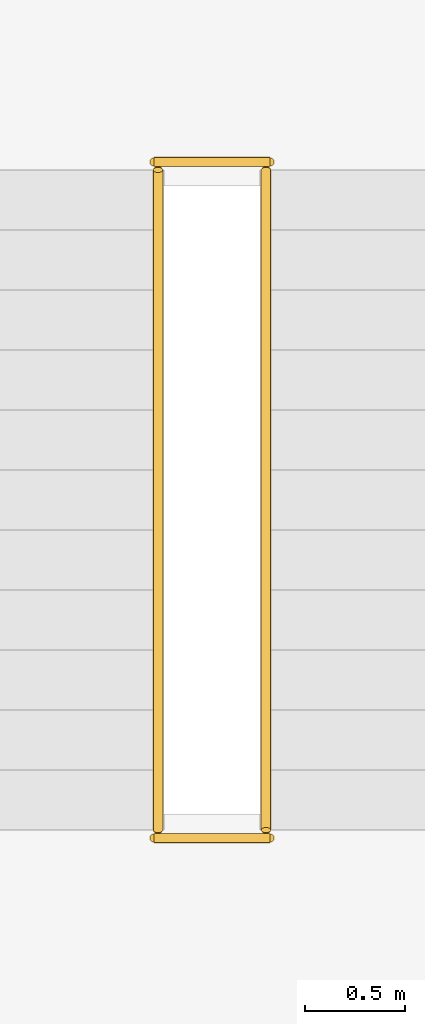
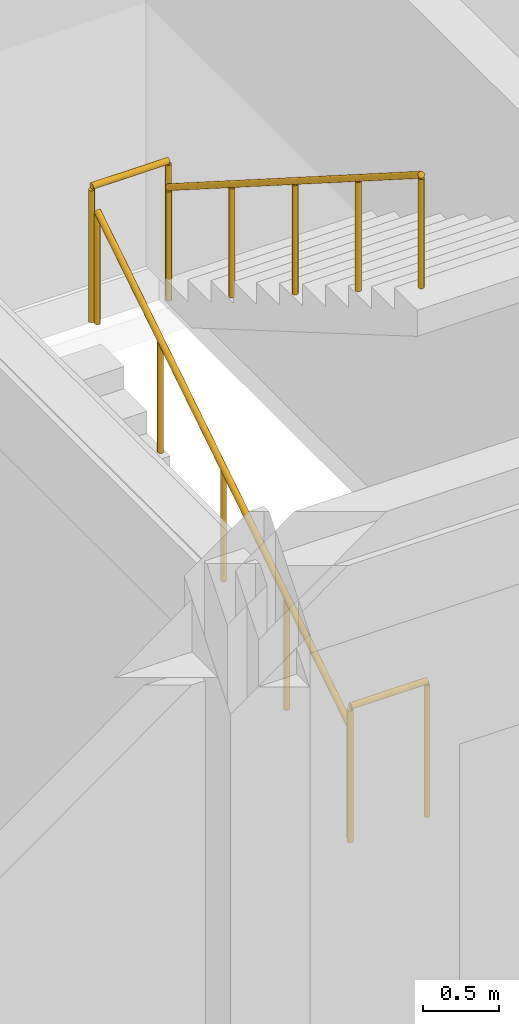
# One storey, part 54 of 56: 4 railings.
"""IFC4 building model written with IfcOpenShell, lengths in metres."""

from ifc_helpers import new_model, si_unit, direction, frame, origin, origin_2d, place, context, subcontext, project, spatial, circle, hollow_circle, extrude, material, material_profile, profile_set, type_object, element, save


model = new_model("IFC4")

# Units and contexts
model_context = context("Model", 3, precision=1e-05, world=origin(), true_north=direction((0.0, 1.0)))
body_context = subcontext(model_context, "Body", "Model", "MODEL_VIEW")
ifc_project = project(units=[si_unit("LENGTHUNIT", "METRE"), si_unit("AREAUNIT", "SQUARE_METRE"), si_unit("VOLUMEUNIT", "CUBIC_METRE"), si_unit("PLANEANGLEUNIT", "RADIAN"), si_unit("MASSUNIT", "GRAM", prefix="KILO")], contexts=[model_context])

# Site, building, storey
site_placement = place(None, origin())
site = spatial("IfcSite", under=ifc_project, at=site_placement, CompositionType="ELEMENT")
building_placement = place(site_placement, origin())
building = spatial("IfcBuilding", under=site, at=building_placement, Name="Zizhar Promenade General Hospital", CompositionType="ELEMENT")
storey_placement = place(building_placement, frame((0.0, 0.0, 26.39990234375)))
storey = spatial("IfcBuildingStorey", under=building, at=storey_placement, Name="L06", CompositionType="ELEMENT", Elevation=26.39990234375)

# Railings
ifc_material_1 = material(Name="Anodised aluminium 6063-T6", Category="aluminium")
ifc_material_profile_1 = material_profile(ifc_material_1, hollow_circle(Radius=0.06982421875, WallThickness=0.00634765625, at=origin_2d()))
ifc_profile_set_1 = profile_set([ifc_material_profile_1], Name="Anodised aluminium 6063-T6")
railing_type_1 = type_object("IfcRailingType", Name="RL-HANDRAIL-920", PredefinedType="HANDRAIL", material=ifc_profile_set_1)
railing_1_placement = place(storey_placement, frame((79.89990234375, 10.35009765625, 0.0)))
element("IfcRailing", 1, at=railing_1_placement, inside=storey, type_object=railing_type_1, Name="Stair ST-04 Flight 1 Handrail (L06)", PredefinedType="HANDRAIL", context=body_context, shape_type="SweptSolid", body=[
    extrude(circle(Radius=0.02392578125, at=origin_2d()), frame((0.0, 0.0, 0.89599609375), z_axis=(0.0, 0.843635785416, 0.536915879413), x_axis=(-1.0, 0.0, 0.0)), (0.0, 0.0, 1.0), 3.911376953125),
    extrude(circle(Radius=0.02099609375, at=origin_2d()), origin(), (0.0, 0.0, 1.0), 0.871826171875),
    extrude(circle(Radius=0.02099609375, at=origin_2d()), frame((0.0, 0.824951171875, 0.52490234375)), (0.0, 0.0, 1.0), 0.871826171875),
    extrude(circle(Radius=0.02099609375, at=origin_2d()), frame((0.0, 1.64990234375, 1.050048828125)), (0.0, 0.0, 1.0), 0.871826171875),
    extrude(circle(Radius=0.02099609375, at=origin_2d()), frame((0.0, 2.474853515625, 1.5751953125)), (0.0, 0.0, 1.0), 0.871826171875),
    extrude(circle(Radius=0.02099609375, at=origin_2d()), frame((0.0, 3.2998046875, 2.10009765625)), (0.0, 0.0, 1.0), 0.871826171875),
])
railing_2_placement = place(storey_placement, frame((80.43994140625, 13.64990234375, 2.10009765625)))
element("IfcRailing", 2, at=railing_2_placement, inside=storey, type_object=railing_type_1, Name="Stair ST-04 Flight 2 Handrail (L06)", PredefinedType="HANDRAIL", context=body_context, shape_type="SweptSolid", body=[
    extrude(circle(Radius=0.02392578125, at=origin_2d()), frame((0.0, 0.0, 0.89599609375), z_axis=(0.0, -0.843635785416, 0.536915879413), x_axis=(1.0, 0.0, 0.0)), (0.0, 0.0, 1.0), 3.911376953125),
    extrude(circle(Radius=0.02099609375, at=origin_2d()), origin(), (0.0, 0.0, 1.0), 0.871826171875),
    extrude(circle(Radius=0.02099609375, at=origin_2d()), frame((0.0, -0.824951171875, 0.52490234375)), (0.0, 0.0, 1.0), 0.871826171875),
    extrude(circle(Radius=0.02099609375, at=origin_2d()), frame((0.0, -1.64990234375, 1.050048828125)), (0.0, 0.0, 1.0), 0.871826171875),
    extrude(circle(Radius=0.02099609375, at=origin_2d()), frame((0.0, -2.474853515625, 1.5751953125)), (0.0, 0.0, 1.0), 0.871826171875),
    extrude(circle(Radius=0.02099609375, at=origin_2d()), frame((0.0, -3.2998046875, 2.10009765625)), (0.0, 0.0, 1.0), 0.871826171875),
])
ifc_material_2 = material(Name="Steel S355", Category="steel")
ifc_material_profile_2 = material_profile(ifc_material_2, hollow_circle(Radius=0.06982421875, WallThickness=0.00634765625, at=origin_2d()))
ifc_profile_set_2 = profile_set([ifc_material_profile_2], Name="Steel S355")
railing_type_2 = type_object("IfcRailingType", Name="RL-STAIR-GUARD-1100", PredefinedType="GUARDRAIL", material=ifc_profile_set_2)
for number, where, name in (
    (3, (79.8798828125, 13.68994140625, 2.10009765625), "Stair ST-04 Half-Landing Guard (L06)"),
    (4, (79.8798828125, 10.31005859375, 0.0), "Stair ST-04 Landing Well Guard (L06)"),
):
    element("IfcRailing", number, at=place(storey_placement, frame(where)), inside=storey, type_object=railing_type_2, Name=name, PredefinedType="GUARDRAIL", context=body_context, shape_type="SweptSolid", body=[
        extrude(circle(Radius=0.02392578125, at=origin_2d()), frame((0.0, 0.0, 1.076171875), z_axis=(1.0, 0.0, 0.0), x_axis=(0.0, 1.0, 0.0)), (0.0, 0.0, 1.0), 0.580078125),
        extrude(circle(Radius=0.02099609375, at=origin_2d()), origin(), (0.0, 0.0, 1.0), 1.052001953125),
        extrude(circle(Radius=0.02099609375, at=origin_2d()), frame((0.580078125, 0.0, 0.0)), (0.0, 0.0, 1.0), 1.052001953125),
    ])

save(model, "model.ifc")
